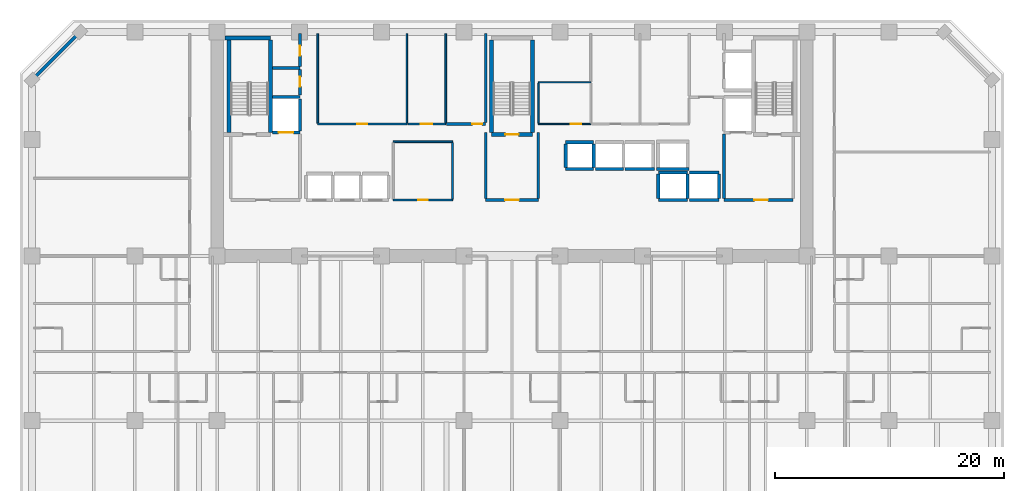
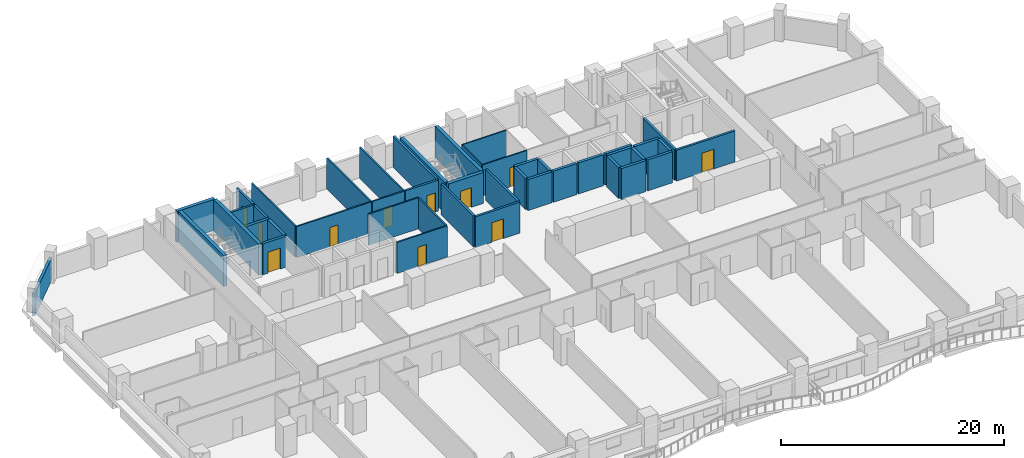
# One storey, part 6 of 14: 45 walls, 11 doors, 11 openings.
"""IFC4 building model written with IfcOpenShell, lengths in metres."""

from ifc_helpers import new_model, si_unit, direction, frame, frame_2d, origin, place, context, subcontext, project, spatial, rectangle, extrude, material, layer, layer_set, type_object, element, fill, save


model = new_model("IFC4")

# Units and contexts
model_context = context("Model", 3, precision=1e-05, world=origin(), true_north=direction((0.0, 1.0)))
body_context = subcontext(model_context, "Body", "Model", "MODEL_VIEW")
ifc_project = project(units=[si_unit("LENGTHUNIT", "METRE"), si_unit("AREAUNIT", "SQUARE_METRE"), si_unit("VOLUMEUNIT", "CUBIC_METRE"), si_unit("PLANEANGLEUNIT", "RADIAN"), si_unit("MASSUNIT", "GRAM", prefix="KILO")], contexts=[model_context])

# Site, building, storey
site_placement = place(None, origin())
site = spatial("IfcSite", under=ifc_project, at=site_placement, CompositionType="ELEMENT")
building_placement = place(site_placement, origin())
building = spatial("IfcBuilding", under=site, at=building_placement, Name="Kaelvorn Grand Hotel", CompositionType="ELEMENT")
storey_placement = place(building_placement, frame((0.0, 0.0, 76.39990234375)))
storey = spatial("IfcBuildingStorey", under=building, at=storey_placement, Name="L17", CompositionType="ELEMENT", Elevation=76.39990234375)

# Wall
ifc_material_1 = material(Name="Concrete C40/50", Category="concrete")
ifc_layer_1 = layer(ifc_material_1, 0.260009765625)
ifc_layer_set_1 = layer_set([ifc_layer_1], Name="Concrete C40/50")
wall_type_1 = type_object("IfcWallType", Name="WL-EXT-260-C40", PredefinedType="SOLIDWALL", material=ifc_layer_set_1)
wall_1_placement = place(storey_placement, frame((4.199951171875, 49.0, 0.0), z_axis=(0.0, 0.0, 1.0), x_axis=(-0.707106781187, -0.707106781187, 0.0)))
element("IfcWall", 1, at=wall_1_placement, inside=storey, type_object=wall_type_1, Name="L17 Exterior Architectural Concrete Wall 06", PredefinedType="SOLIDWALL", context=body_context, shape_type="SweptSolid", body=[
    extrude(rectangle(XDim=5.939697265625, YDim=0.260009765625, at=frame_2d((2.9697265625, 0.0))), origin(), (0.0, 0.0, 1.0), 2.4501953125),
])

# Wall, opening, door
ifc_material_2 = material(Name="Moisture-Resistant Tile & Stud Board")
ifc_layer_2 = layer(ifc_material_2, 0.125)
ifc_layer_set_2 = layer_set([ifc_layer_2], Name="Moisture-Resistant Tile & Stud Board")
wall_type_2 = type_object("IfcWallType", Name="WL-PART-125-WET", PredefinedType="PARTITIONING", material=ifc_layer_set_2)
wall_2_placement = place(storey_placement, frame((44.300048828125, 40.949951171875, 0.0), z_axis=(0.0, 0.0, 1.0), x_axis=(1.0, 0.0, 0.0)))
wall_2 = element("IfcWall", 2, at=wall_2_placement, inside=storey, type_object=wall_type_2, Name="L17 Accessible WC S Partition", PredefinedType="PARTITIONING", context=body_context, shape_type="SweptSolid", body=[
    extrude(rectangle(XDim=4.599853515625, YDim=0.125, at=frame_2d((2.2998046875, 0.0))), origin(), (0.0, 0.0, 1.0), 3.400146484375),
])
opening_1_placement = place(wall_2_placement, frame((2.85009765625, 0.0, 0.0)))
opening_1 = element("IfcOpeningElement", 3, at=opening_1_placement, cuts=wall_2, Name="Opening DI4", PredefinedType="OPENING", context=body_context, shape_type="SweptSolid", body=[
    extrude(rectangle(XDim=0.89990234375, YDim=2.10009765625, at=frame_2d((0.449951171875, 1.050048828125))), frame((0.0, 0.072509765625, 0.0), z_axis=(0.0, -1.0, 0.0), x_axis=(1.0, 0.0, 0.0)), (0.0, 0.0, 1.0), 0.14501953125),
])
ifc_material_3 = material(Name="Timber Veneer Leaf", Category="wood")
door_type_1 = type_object("IfcDoorType", Name="DR-INT-BATH-900x2100", OperationType="NOTDEFINED", PredefinedType="DOOR", material=ifc_material_3)
door_1_placement = place(opening_1_placement, origin())
door_1 = element("IfcDoor", 4, at=door_1_placement, inside=storey, type_object=door_type_1, Name="L17 Accessible WC Door", OperationType="SINGLE_SWING_RIGHT", OverallHeight=2.10009765625, OverallWidth=0.89990234375, PredefinedType="DOOR", context=body_context, shape_type="SweptSolid", body=[
    extrude(rectangle(XDim=0.89990234375, YDim=2.10009765625, at=frame_2d((0.449951171875, 1.050048828125))), frame((0.0, 0.02490234375, 0.0), z_axis=(0.0, -1.0, 0.0), x_axis=(1.0, 0.0, 0.0)), (0.0, 0.0, 1.0), 0.050048828125),
])
fill(opening_1, door_1)

# Walls
wall_3_placement = place(storey_placement, frame((44.300048828125, 44.60009765625, 0.0), z_axis=(0.0, 0.0, 1.0), x_axis=(1.0, 0.0, 0.0)))
element("IfcWall", 5, at=wall_3_placement, inside=storey, type_object=wall_type_2, Name="L17 Accessible WC N Partition", PredefinedType="PARTITIONING", context=body_context, shape_type="SweptSolid", body=[
    extrude(rectangle(XDim=4.599853515625, YDim=0.125, at=frame_2d((2.2998046875, 0.0))), origin(), (0.0, 0.0, 1.0), 3.400146484375),
])
wall_4_placement = place(storey_placement, frame((44.300048828125, 41.017578125, 0.0), z_axis=(0.0, 0.0, 1.0), x_axis=(0.0, 1.0, 0.0)))
element("IfcWall", 6, at=wall_4_placement, inside=storey, type_object=wall_type_2, Name="L17 Accessible WC W Partition", PredefinedType="PARTITIONING", context=body_context, shape_type="SweptSolid", body=[
    extrude(rectangle(XDim=3.514892578125, YDim=0.125, at=frame_2d((1.75732421875, 0.0))), origin(), (0.0, 0.0, 1.0), 3.400146484375),
])

# Wall, opening, door
ifc_material_4 = material(Name="Acoustic Gypsum & Stud Partition")
ifc_layer_3 = layer(ifc_material_4, 0.14990234375)
ifc_layer_set_3 = layer_set([ifc_layer_3], Name="Acoustic Gypsum & Stud Partition")
wall_type_3 = type_object("IfcWallType", Name="WL-PART-150-EI60", PredefinedType="PARTITIONING", material=ifc_layer_set_3)
wall_5_placement = place(storey_placement, frame((31.60009765625, 34.300048828125, 0.0), z_axis=(0.0, 0.0, 1.0), x_axis=(1.0, 0.0, 0.0)))
wall_5 = element("IfcWall", 7, at=wall_5_placement, inside=storey, type_object=wall_type_3, Name="L17 Core Telecoms & BMS Server Room S Partition", PredefinedType="PARTITIONING", context=body_context, shape_type="SweptSolid", body=[
    extrude(rectangle(XDim=5.199951171875, YDim=0.14990234375, at=frame_2d((2.60009765625, 0.0))), origin(), (0.0, 0.0, 1.0), 3.400146484375),
])
opening_2_placement = place(wall_5_placement, frame((2.175048828125, 0.0, 0.0)))
opening_2 = element("IfcOpeningElement", 8, at=opening_2_placement, cuts=wall_5, Name="Opening DI7", PredefinedType="OPENING", context=body_context, shape_type="SweptSolid", body=[
    extrude(rectangle(XDim=0.85009765625, YDim=2.10009765625, at=frame_2d((0.425048828125, 1.050048828125))), frame((0.0, 0.0849609375, 0.0), z_axis=(0.0, -1.0, 0.0), x_axis=(1.0, 0.0, 0.0)), (0.0, 0.0, 1.0), 0.169921875),
])
ifc_material_5 = material(Name="Powder-Coated Steel Leaf", Category="steel")
door_type_2 = type_object("IfcDoorType", Name="DR-INT-RISER-850x2100", OperationType="NOTDEFINED", PredefinedType="DOOR", material=ifc_material_5)
door_2_placement = place(opening_2_placement, origin())
door_2 = element("IfcDoor", 9, at=door_2_placement, inside=storey, type_object=door_type_2, Name="L17 Core Telecoms & BMS Server Room Door", OperationType="SINGLE_SWING_RIGHT", OverallHeight=2.10009765625, OverallWidth=0.85009765625, PredefinedType="DOOR", context=body_context, shape_type="SweptSolid", body=[
    extrude(rectangle(XDim=0.85009765625, YDim=2.10009765625, at=frame_2d((0.425048828125, 1.050048828125))), frame((0.0, 0.02490234375, 0.0), z_axis=(0.0, -1.0, 0.0), x_axis=(1.0, 0.0, 0.0)), (0.0, 0.0, 1.0), 0.050048828125),
])
fill(opening_2, door_2)

# Walls
wall_6_placement = place(storey_placement, frame((31.60009765625, 39.39990234375, 0.0), z_axis=(0.0, 0.0, 1.0), x_axis=(1.0, 0.0, 0.0)))
element("IfcWall", 10, at=wall_6_placement, inside=storey, type_object=wall_type_3, Name="L17 Core Telecoms & BMS Server Room N Partition", PredefinedType="PARTITIONING", context=body_context, shape_type="SweptSolid", body=[
    extrude(rectangle(XDim=5.199951171875, YDim=0.14990234375, at=frame_2d((2.60009765625, 0.0))), origin(), (0.0, 0.0, 1.0), 3.400146484375),
])
wall_7_placement = place(storey_placement, frame((36.800048828125, 34.3798828125, 0.0), z_axis=(0.0, 0.0, 1.0), x_axis=(0.0, 1.0, 0.0)))
element("IfcWall", 11, at=wall_7_placement, inside=storey, type_object=wall_type_3, Name="L17 Core Telecoms & BMS Server Room E Partition", PredefinedType="PARTITIONING", context=body_context, shape_type="SweptSolid", body=[
    extrude(rectangle(XDim=4.940185546875, YDim=0.14990234375, at=frame_2d((2.47021484375, 0.0))), origin(), (0.0, 0.0, 1.0), 3.400146484375),
])

# Wall, opening, door
wall_8_placement = place(storey_placement, frame((25.0, 40.949951171875, 0.0), z_axis=(0.0, 0.0, 1.0), x_axis=(1.0, 0.0, 0.0)))
wall_8 = element("IfcWall", 12, at=wall_8_placement, inside=storey, type_object=wall_type_3, Name="L17 Housekeeping & Linen Room S Partition", PredefinedType="PARTITIONING", context=body_context, shape_type="SweptSolid", body=[
    extrude(rectangle(XDim=7.800048828125, YDim=0.14990234375, at=frame_2d((3.89990234375, 0.0))), origin(), (0.0, 0.0, 1.0), 3.400146484375),
])
opening_3_placement = place(wall_8_placement, frame((3.47509765625, 0.0, 0.0)))
opening_3 = element("IfcOpeningElement", 13, at=opening_3_placement, cuts=wall_8, Name="Opening DI7", PredefinedType="OPENING", context=body_context, shape_type="SweptSolid", body=[
    extrude(rectangle(XDim=0.85009765625, YDim=2.10009765625, at=frame_2d((0.425048828125, 1.050048828125))), frame((0.0, 0.0849609375, 0.0), z_axis=(0.0, -1.0, 0.0), x_axis=(1.0, 0.0, 0.0)), (0.0, 0.0, 1.0), 0.169921875),
])
door_3_placement = place(opening_3_placement, origin())
door_3 = element("IfcDoor", 14, at=door_3_placement, inside=storey, type_object=door_type_2, Name="L17 Housekeeping & Linen Room Door", OperationType="SINGLE_SWING_LEFT", OverallHeight=2.10009765625, OverallWidth=0.85009765625, PredefinedType="DOOR", context=body_context, shape_type="SweptSolid", body=[
    extrude(rectangle(XDim=0.85009765625, YDim=2.10009765625, at=frame_2d((0.425048828125, 1.050048828125))), frame((0.0, 0.02490234375, 0.0), z_axis=(0.0, -1.0, 0.0), x_axis=(1.0, 0.0, 0.0)), (0.0, 0.0, 1.0), 0.050048828125),
])
fill(opening_3, door_3)

# Walls
for number, where, z_axis, x_axis, name in (
    (15, (25.0, 41.030029296875, 0.0), (0.0, 0.0, 1.0), (0.0, 1.0, 0.0), "L17 Housekeeping & Linen Room W Partition"),
    (16, (32.800048828125, 41.030029296875, 0.0), (0.0, 0.0, 1.0), (0.0, 1.0, 0.0), "L17 Housekeeping & Linen Room E Partition"),
):
    element("IfcWall", number, at=place(storey_placement, frame(where, z_axis=z_axis, x_axis=x_axis)), inside=storey, type_object=wall_type_3, Name=name, PredefinedType="PARTITIONING", context=body_context, shape_type="SweptSolid", body=[
        extrude(rectangle(XDim=7.820068359375, YDim=0.14990234375, at=frame_2d((3.91015625, 0.0))), origin(), (0.0, 0.0, 1.0), 3.400146484375),
    ])

# Wall, opening, door
wall_9_placement = place(storey_placement, frame((32.8798828125, 40.949951171875, 0.0), z_axis=(0.0, 0.0, 1.0), x_axis=(1.0, 0.0, 0.0)))
wall_9 = element("IfcWall", 17, at=wall_9_placement, inside=storey, type_object=wall_type_3, Name="L17 Floor Butler Tea Point S Partition", PredefinedType="PARTITIONING", context=body_context, shape_type="SweptSolid", body=[
    extrude(rectangle(XDim=3.320068359375, YDim=0.14990234375, at=frame_2d((1.66015625, 0.0))), origin(), (0.0, 0.0, 1.0), 3.400146484375),
])
opening_4_placement = place(wall_9_placement, frame((1.1201171875, 0.0, 0.0)))
opening_4 = element("IfcOpeningElement", 18, at=opening_4_placement, cuts=wall_9, Name="Opening DI3", PredefinedType="OPENING", context=body_context, shape_type="SweptSolid", body=[
    extrude(rectangle(XDim=1.0, YDim=2.14990234375, at=frame_2d((0.5, 1.074951171875))), frame((0.0, 0.0849609375, 0.0), z_axis=(0.0, -1.0, 0.0), x_axis=(1.0, 0.0, 0.0)), (0.0, 0.0, 1.0), 0.169921875),
])
ifc_material_6 = material(Name="Timber Veneer Fire Leaf", Category="wood")
door_type_3 = type_object("IfcDoorType", Name="DR-INT-GUEST-1000x2150", OperationType="NOTDEFINED", PredefinedType="DOOR", material=ifc_material_6)
door_4_placement = place(opening_4_placement, origin())
door_4 = element("IfcDoor", 19, at=door_4_placement, inside=storey, type_object=door_type_3, Name="L17 Floor Butler Tea Point Door", OperationType="SINGLE_SWING_RIGHT", OverallHeight=2.14990234375, OverallWidth=1.0, PredefinedType="DOOR", context=body_context, shape_type="SweptSolid", body=[
    extrude(rectangle(XDim=1.0, YDim=2.14990234375, at=frame_2d((0.5, 1.074951171875))), frame((0.0, 0.02490234375, 0.0), z_axis=(0.0, -1.0, 0.0), x_axis=(1.0, 0.0, 0.0)), (0.0, 0.0, 1.0), 0.050048828125),
])
fill(opening_4, door_4)

# Wall
wall_10_placement = place(storey_placement, frame((36.199951171875, 41.030029296875, 0.0), z_axis=(0.0, 0.0, 1.0), x_axis=(0.0, 1.0, 0.0)))
element("IfcWall", 20, at=wall_10_placement, inside=storey, type_object=wall_type_3, Name="L17 Floor Butler Tea Point E Partition", PredefinedType="PARTITIONING", context=body_context, shape_type="SweptSolid", body=[
    extrude(rectangle(XDim=7.820068359375, YDim=0.14990234375, at=frame_2d((3.91015625, 0.0))), origin(), (0.0, 0.0, 1.0), 3.400146484375),
])

# Wall, opening, door
ifc_layer_4 = layer(ifc_material_1, 0.219970703125)
ifc_layer_set_4 = layer_set([ifc_layer_4], Name="Concrete C40/50")
wall_type_4 = type_object("IfcWallType", Name="WL-PART-220-EI120", PredefinedType="PARTITIONING", material=ifc_layer_set_4)
wall_11_placement = place(storey_placement, frame((60.550048828125, 34.300048828125, 0.0), z_axis=(0.0, 0.0, 1.0), x_axis=(1.0, 0.0, 0.0)))
wall_11 = element("IfcWall", 21, at=wall_11_placement, inside=storey, type_object=wall_type_4, Name="L17 Firefighting Lift Lobby 2 S Partition", PredefinedType="PARTITIONING", context=body_context, shape_type="SweptSolid", body=[
    extrude(rectangle(XDim=6.050048828125, YDim=0.219970703125, at=frame_2d((3.02490234375, 0.0))), origin(), (0.0, 0.0, 1.0), 3.400146484375),
])
opening_5_placement = place(wall_11_placement, frame((2.64990234375, 0.0, 0.0)))
opening_5 = element("IfcOpeningElement", 22, at=opening_5_placement, cuts=wall_11, Name="Opening DI2", PredefinedType="OPENING", context=body_context, shape_type="SweptSolid", body=[
    extrude(rectangle(XDim=1.199951171875, YDim=2.14990234375, at=frame_2d((0.60009765625, 1.074951171875))), frame((0.0, 0.1201171875, 0.0), z_axis=(0.0, -1.0, 0.0), x_axis=(1.0, 0.0, 0.0)), (0.0, 0.0, 1.0), 0.239990234375),
])
door_type_4 = type_object("IfcDoorType", Name="DR-INT-FFLOB-1200x2150", OperationType="NOTDEFINED", PredefinedType="DOOR", material=ifc_material_6)
door_5_placement = place(opening_5_placement, origin())
door_5 = element("IfcDoor", 23, at=door_5_placement, inside=storey, type_object=door_type_4, Name="L17 Firefighting Lift Lobby 2 Door", OperationType="SINGLE_SWING_LEFT", OverallHeight=2.14990234375, OverallWidth=1.199951171875, PredefinedType="DOOR", context=body_context, shape_type="SweptSolid", body=[
    extrude(rectangle(XDim=1.199951171875, YDim=2.14990234375, at=frame_2d((0.60009765625, 1.074951171875))), frame((0.0, 0.02490234375, 0.0), z_axis=(0.0, -1.0, 0.0), x_axis=(1.0, 0.0, 0.0)), (0.0, 0.0, 1.0), 0.050048828125),
])
fill(opening_5, door_5)

# Wall
wall_12_placement = place(storey_placement, frame((60.550048828125, 34.4150390625, 0.0), z_axis=(0.0, 0.0, 1.0), x_axis=(0.0, 1.0, 0.0)))
element("IfcWall", 24, at=wall_12_placement, inside=storey, type_object=wall_type_4, Name="L17 Firefighting Lift Lobby 2 W Partition", PredefinedType="PARTITIONING", context=body_context, shape_type="SweptSolid", body=[
    extrude(rectangle(XDim=5.639892578125, YDim=0.219970703125, at=frame_2d((2.81982421875, 0.0))), origin(), (0.0, 0.0, 1.0), 3.400146484375),
])

# Wall, opening, door
wall_13_placement = place(storey_placement, frame((39.699951171875, 34.300048828125, 0.0), z_axis=(0.0, 0.0, 1.0), x_axis=(1.0, 0.0, 0.0)))
wall_13 = element("IfcWall", 25, at=wall_13_placement, inside=storey, type_object=wall_type_4, Name="L17 Central Stair Escape Vestibule S Partition", PredefinedType="PARTITIONING", context=body_context, shape_type="SweptSolid", body=[
    extrude(rectangle(XDim=4.60009765625, YDim=0.219970703125, at=frame_2d((2.300048828125, 0.0))), origin(), (0.0, 0.0, 1.0), 3.400146484375),
])
opening_6_placement = place(wall_13_placement, frame((1.699951171875, 0.0, 0.0)))
opening_6 = element("IfcOpeningElement", 26, at=opening_6_placement, cuts=wall_13, Name="Opening DI2", PredefinedType="OPENING", context=body_context, shape_type="SweptSolid", body=[
    extrude(rectangle(XDim=1.199951171875, YDim=2.14990234375, at=frame_2d((0.60009765625, 1.074951171875))), frame((0.0, 0.1201171875, 0.0), z_axis=(0.0, -1.0, 0.0), x_axis=(1.0, 0.0, 0.0)), (0.0, 0.0, 1.0), 0.239990234375),
])
door_6_placement = place(opening_6_placement, origin())
door_6 = element("IfcDoor", 27, at=door_6_placement, inside=storey, type_object=door_type_4, Name="L17 Central Stair Escape Vestibule Door", OperationType="SINGLE_SWING_RIGHT", OverallHeight=2.14990234375, OverallWidth=1.199951171875, PredefinedType="DOOR", context=body_context, shape_type="SweptSolid", body=[
    extrude(rectangle(XDim=1.199951171875, YDim=2.14990234375, at=frame_2d((0.60009765625, 1.074951171875))), frame((0.0, 0.02490234375, 0.0), z_axis=(0.0, -1.0, 0.0), x_axis=(1.0, 0.0, 0.0)), (0.0, 0.0, 1.0), 0.050048828125),
])
fill(opening_6, door_6)

# Walls
for number, where, z_axis, x_axis, name in (
    (28, (39.699951171875, 34.4150390625, 0.0), (0.0, 0.0, 1.0), (0.0, 1.0, 0.0), "L17 Central Stair Escape Vestibule W Partition"),
    (29, (44.300048828125, 34.4150390625, 0.0), (0.0, 0.0, 1.0), (0.0, 1.0, 0.0), "L17 Central Stair Escape Vestibule E Partition"),
):
    element("IfcWall", number, at=place(storey_placement, frame(where, z_axis=z_axis, x_axis=x_axis)), inside=storey, type_object=wall_type_4, Name=name, PredefinedType="PARTITIONING", context=body_context, shape_type="SweptSolid", body=[
        extrude(rectangle(XDim=5.784912109375, YDim=0.219970703125, at=frame_2d((2.892578125, 0.0))), origin(), (0.0, 0.0, 1.0), 3.400146484375),
    ])
wall_14_placement = place(storey_placement, frame((21.034912109375, 45.85009765625, 0.0), z_axis=(0.0, 0.0, 1.0), x_axis=(1.0, 0.0, 0.0)))
element("IfcWall", 30, at=wall_14_placement, inside=storey, type_object=wall_type_4, Name="L17 Wet Fire & Plumbing Riser Shaft N Partition", PredefinedType="PARTITIONING", context=body_context, shape_type="SweptSolid", body=[
    extrude(rectangle(XDim=2.4150390625, YDim=0.219970703125, at=frame_2d((1.20751953125, 0.0))), origin(), (0.0, 0.0, 1.0), 3.400146484375),
])

# Wall, opening, door
wall_15_placement = place(storey_placement, frame((23.449951171875, 43.5, 0.0), z_axis=(0.0, 0.0, 1.0), x_axis=(0.0, 1.0, 0.0)))
wall_15 = element("IfcWall", 31, at=wall_15_placement, inside=storey, type_object=wall_type_4, Name="L17 Wet Fire & Plumbing Riser Shaft E Partition", PredefinedType="PARTITIONING", context=body_context, shape_type="SweptSolid", body=[
    extrude(rectangle(XDim=2.235107421875, YDim=0.219970703125, at=frame_2d((1.11767578125, 0.0))), origin(), (0.0, 0.0, 1.0), 3.400146484375),
])
opening_7_placement = place(wall_15_placement, frame((0.72509765625, 0.0, 0.0)))
opening_7 = element("IfcOpeningElement", 32, at=opening_7_placement, cuts=wall_15, Name="Opening DI7", PredefinedType="OPENING", context=body_context, shape_type="SweptSolid", body=[
    extrude(rectangle(XDim=0.85009765625, YDim=2.10009765625, at=frame_2d((0.425048828125, 1.050048828125))), frame((0.0, 0.1201171875, 0.0), z_axis=(0.0, -1.0, 0.0), x_axis=(1.0, 0.0, 0.0)), (0.0, 0.0, 1.0), 0.239990234375),
])
door_7_placement = place(opening_7_placement, origin())
door_7 = element("IfcDoor", 33, at=door_7_placement, inside=storey, type_object=door_type_2, Name="L17 Wet Fire & Plumbing Riser Shaft Door", OperationType="SINGLE_SWING_RIGHT", OverallHeight=2.10009765625, OverallWidth=0.85009765625, PredefinedType="DOOR", context=body_context, shape_type="SweptSolid", body=[
    extrude(rectangle(XDim=0.85009765625, YDim=2.10009765625, at=frame_2d((0.425048828125, 1.050048828125))), frame((0.0, 0.02490234375, 0.0), z_axis=(0.0, -1.0, 0.0), x_axis=(1.0, 0.0, 0.0)), (0.0, 0.0, 1.0), 0.050048828125),
])
fill(opening_7, door_7)

wall_16_placement = place(storey_placement, frame((23.449951171875, 45.965087890625, 0.0), z_axis=(0.0, 0.0, 1.0), x_axis=(0.0, 1.0, 0.0)))
wall_16 = element("IfcWall", 34, at=wall_16_placement, inside=storey, type_object=wall_type_4, Name="L17 HV Electrical & Smoke Riser E Partition", PredefinedType="PARTITIONING", context=body_context, shape_type="SweptSolid", body=[
    extrude(rectangle(XDim=2.885009765625, YDim=0.219970703125, at=frame_2d((1.4423828125, 0.0))), origin(), (0.0, 0.0, 1.0), 3.400146484375),
])
opening_8_placement = place(wall_16_placement, frame((0.9599609375, 0.0, 0.0)))
opening_8 = element("IfcOpeningElement", 35, at=opening_8_placement, cuts=wall_16, Name="Opening DI7", PredefinedType="OPENING", context=body_context, shape_type="SweptSolid", body=[
    extrude(rectangle(XDim=0.85009765625, YDim=2.10009765625, at=frame_2d((0.425048828125, 1.050048828125))), frame((0.0, 0.1201171875, 0.0), z_axis=(0.0, -1.0, 0.0), x_axis=(1.0, 0.0, 0.0)), (0.0, 0.0, 1.0), 0.239990234375),
])
door_8_placement = place(opening_8_placement, origin())
door_8 = element("IfcDoor", 36, at=door_8_placement, inside=storey, type_object=door_type_2, Name="L17 HV Electrical & Smoke Riser Door", OperationType="SINGLE_SWING_LEFT", OverallHeight=2.10009765625, OverallWidth=0.85009765625, PredefinedType="DOOR", context=body_context, shape_type="SweptSolid", body=[
    extrude(rectangle(XDim=0.85009765625, YDim=2.10009765625, at=frame_2d((0.425048828125, 1.050048828125))), frame((0.0, 0.02490234375, 0.0), z_axis=(0.0, -1.0, 0.0), x_axis=(1.0, 0.0, 0.0)), (0.0, 0.0, 1.0), 0.050048828125),
])
fill(opening_8, door_8)

wall_17_placement = place(storey_placement, frame((36.280029296875, 40.949951171875, 0.0), z_axis=(0.0, 0.0, 1.0), x_axis=(1.0, 0.0, 0.0)))
wall_17 = element("IfcWall", 37, at=wall_17_placement, inside=storey, type_object=wall_type_4, Name="L17 LV Electrical & Metering Room S Partition", PredefinedType="PARTITIONING", context=body_context, shape_type="SweptSolid", body=[
    extrude(rectangle(XDim=3.419921875, YDim=0.219970703125, at=frame_2d((1.7099609375, 0.0))), origin(), (0.0, 0.0, 1.0), 3.400146484375),
])
opening_9_placement = place(wall_17_placement, frame((2.2451171875, 0.0, 0.0)))
opening_9 = element("IfcOpeningElement", 38, at=opening_9_placement, cuts=wall_17, Name="Opening DI7", PredefinedType="OPENING", context=body_context, shape_type="SweptSolid", body=[
    extrude(rectangle(XDim=0.85009765625, YDim=2.10009765625, at=frame_2d((0.425048828125, 1.050048828125))), frame((0.0, 0.1201171875, 0.0), z_axis=(0.0, -1.0, 0.0), x_axis=(1.0, 0.0, 0.0)), (0.0, 0.0, 1.0), 0.239990234375),
])
door_9_placement = place(opening_9_placement, origin())
door_9 = element("IfcDoor", 39, at=door_9_placement, inside=storey, type_object=door_type_2, Name="L17 LV Electrical & Metering Room Door", OperationType="SINGLE_SWING_LEFT", OverallHeight=2.10009765625, OverallWidth=0.85009765625, PredefinedType="DOOR", context=body_context, shape_type="SweptSolid", body=[
    extrude(rectangle(XDim=0.85009765625, YDim=2.10009765625, at=frame_2d((0.425048828125, 1.050048828125))), frame((0.0, 0.02490234375, 0.0), z_axis=(0.0, -1.0, 0.0), x_axis=(1.0, 0.0, 0.0)), (0.0, 0.0, 1.0), 0.050048828125),
])
fill(opening_9, door_9)

# Walls
wall_18_placement = place(storey_placement, frame((39.699951171875, 41.06494140625, 0.0), z_axis=(0.0, 0.0, 1.0), x_axis=(0.0, 1.0, 0.0)))
element("IfcWall", 40, at=wall_18_placement, inside=storey, type_object=wall_type_4, Name="L17 LV Electrical & Metering Room E Partition", PredefinedType="PARTITIONING", context=body_context, shape_type="SweptSolid", body=[
    extrude(rectangle(XDim=7.78515625, YDim=0.219970703125, at=frame_2d((3.892578125, 0.0))), origin(), (0.0, 0.0, 1.0), 3.400146484375),
])
ifc_material_7 = material(Name="Concrete C50/60", Category="concrete")
ifc_layer_5 = layer(ifc_material_7, 0.280029296875)
ifc_layer_set_5 = layer_set([ifc_layer_5], Name="Concrete C50/60")
wall_type_5 = type_object("IfcWallType", Name="WL-SHAFT-280-C50", PredefinedType="SHEAR", material=ifc_layer_set_5)
for number, where, z_axis, x_axis, name in (
    (41, (46.699951171875, 37.0, 0.0), (0.0, 0.0, 1.0), (1.0, 0.0, 0.0), "L17 Lift SL-1 Shaft South Wall"),
    (42, (46.699951171875, 39.35009765625, 0.0), (0.0, 0.0, 1.0), (1.0, 0.0, 0.0), "L17 Lift SL-1 Shaft North Wall"),
):
    element("IfcWall", number, at=place(storey_placement, frame(where, z_axis=z_axis, x_axis=x_axis)), inside=storey, type_object=wall_type_5, Name=name, PredefinedType="SHEAR", context=body_context, shape_type="SweptSolid", body=[
        extrude(rectangle(XDim=2.449951171875, YDim=0.280029296875, at=frame_2d((1.22509765625, 0.0))), origin(), (0.0, 0.0, 1.0), 3.400146484375),
    ])
for number, where, z_axis, x_axis, name in (
    (43, (46.699951171875, 37.14501953125, 0.0), (0.0, 0.0, 1.0), (0.0, 1.0, 0.0), "L17 Lift SL-1 Shaft West Wall"),
    (44, (49.14990234375, 37.14501953125, 0.0), (0.0, 0.0, 1.0), (0.0, 1.0, 0.0), "L17 Lift SL-1 Shaft East Wall"),
):
    element("IfcWall", number, at=place(storey_placement, frame(where, z_axis=z_axis, x_axis=x_axis)), inside=storey, type_object=wall_type_5, Name=name, PredefinedType="SHEAR", context=body_context, shape_type="SweptSolid", body=[
        extrude(rectangle(XDim=2.06005859375, YDim=0.280029296875, at=frame_2d((1.030029296875, 0.0))), origin(), (0.0, 0.0, 1.0), 3.400146484375),
    ])
wall_19_placement = place(storey_placement, frame((49.300048828125, 37.0, 0.0), z_axis=(0.0, 0.0, 1.0), x_axis=(1.0, 0.0, 0.0)))
element("IfcWall", 45, at=wall_19_placement, inside=storey, type_object=wall_type_5, Name="L17 Lift SL-2 Shaft South Wall", PredefinedType="SHEAR", context=body_context, shape_type="SweptSolid", body=[
    extrude(rectangle(XDim=2.449951171875, YDim=0.280029296875, at=frame_2d((1.22509765625, 0.0))), origin(), (0.0, 0.0, 1.0), 3.400146484375),
])
wall_20_placement = place(storey_placement, frame((51.89990234375, 37.0, 0.0), z_axis=(0.0, 0.0, 1.0), x_axis=(1.0, 0.0, 0.0)))
element("IfcWall", 46, at=wall_20_placement, inside=storey, type_object=wall_type_5, Name="L17 Lift SL-3 Shaft South Wall", PredefinedType="SHEAR", context=body_context, shape_type="SweptSolid", body=[
    extrude(rectangle(XDim=2.590087890625, YDim=0.280029296875, at=frame_2d((1.294921875, 0.0))), origin(), (0.0, 0.0, 1.0), 3.400146484375),
])
for number, where, z_axis, x_axis, name in (
    (47, (54.800048828125, 34.300048828125, 0.0), (0.0, 0.0, 1.0), (1.0, 0.0, 0.0), "L17 Lift OL-1 Shaft South Wall"),
    (48, (54.800048828125, 36.699951171875, 0.0), (0.0, 0.0, 1.0), (1.0, 0.0, 0.0), "L17 Lift OL-1 Shaft North Wall"),
):
    element("IfcWall", number, at=place(storey_placement, frame(where, z_axis=z_axis, x_axis=x_axis)), inside=storey, type_object=wall_type_5, Name=name, PredefinedType="SHEAR", context=body_context, shape_type="SweptSolid", body=[
        extrude(rectangle(XDim=2.550048828125, YDim=0.280029296875, at=frame_2d((1.27490234375, 0.0))), origin(), (0.0, 0.0, 1.0), 3.400146484375),
    ])
for number, where, z_axis, x_axis, name in (
    (49, (54.800048828125, 34.445068359375, 0.0), (0.0, 0.0, 1.0), (0.0, 1.0, 0.0), "L17 Lift OL-1 Shaft West Wall"),
    (50, (57.35009765625, 34.445068359375, 0.0), (0.0, 0.0, 1.0), (0.0, 1.0, 0.0), "L17 Lift OL-1 Shaft East Wall"),
):
    element("IfcWall", number, at=place(storey_placement, frame(where, z_axis=z_axis, x_axis=x_axis)), inside=storey, type_object=wall_type_5, Name=name, PredefinedType="SHEAR", context=body_context, shape_type="SweptSolid", body=[
        extrude(rectangle(XDim=2.10986328125, YDim=0.280029296875, at=frame_2d((1.054931640625, 0.0))), origin(), (0.0, 0.0, 1.0), 3.400146484375),
    ])
for number, where, z_axis, x_axis, name in (
    (51, (57.550048828125, 34.300048828125, 0.0), (0.0, 0.0, 1.0), (1.0, 0.0, 0.0), "L17 Lift OL-2 Shaft South Wall"),
    (52, (57.550048828125, 36.699951171875, 0.0), (0.0, 0.0, 1.0), (1.0, 0.0, 0.0), "L17 Lift OL-2 Shaft North Wall"),
):
    element("IfcWall", number, at=place(storey_placement, frame(where, z_axis=z_axis, x_axis=x_axis)), inside=storey, type_object=wall_type_5, Name=name, PredefinedType="SHEAR", context=body_context, shape_type="SweptSolid", body=[
        extrude(rectangle(XDim=2.550048828125, YDim=0.280029296875, at=frame_2d((1.27490234375, 0.0))), origin(), (0.0, 0.0, 1.0), 3.400146484375),
    ])
wall_21_placement = place(storey_placement, frame((60.10009765625, 34.445068359375, 0.0), z_axis=(0.0, 0.0, 1.0), x_axis=(0.0, 1.0, 0.0)))
element("IfcWall", 53, at=wall_21_placement, inside=storey, type_object=wall_type_5, Name="L17 Lift OL-2 Shaft East Wall", PredefinedType="SHEAR", context=body_context, shape_type="SweptSolid", body=[
    extrude(rectangle(XDim=2.10986328125, YDim=0.280029296875, at=frame_2d((1.054931640625, 0.0))), origin(), (0.0, 0.0, 1.0), 3.400146484375),
])
wall_22_placement = place(storey_placement, frame((54.659912109375, 37.0, 0.0), z_axis=(0.0, 0.0, 1.0), x_axis=(1.0, 0.0, 0.0)))
element("IfcWall", 54, at=wall_22_placement, inside=storey, type_object=wall_type_5, Name="L17 Lift OL-3 Shaft South Wall", PredefinedType="SHEAR", context=body_context, shape_type="SweptSolid", body=[
    extrude(rectangle(XDim=2.830078125, YDim=0.280029296875, at=frame_2d((1.4150390625, 0.0))), origin(), (0.0, 0.0, 1.0), 3.400146484375),
])

# Wall, opening, door
wall_23_placement = place(storey_placement, frame((21.034912109375, 40.199951171875, 0.0), z_axis=(0.0, 0.0, 1.0), x_axis=(1.0, 0.0, 0.0)))
wall_23 = element("IfcWall", 55, at=wall_23_placement, inside=storey, type_object=wall_type_5, Name="L17 Lift FFL1 Shaft South Wall", PredefinedType="SHEAR", context=body_context, shape_type="SweptSolid", body=[
    extrude(rectangle(XDim=2.4150390625, YDim=0.280029296875, at=frame_2d((1.20751953125, 0.0))), origin(), (0.0, 0.0, 1.0), 3.400146484375),
])
opening_10_placement = place(wall_23_placement, frame((0.5400390625, 0.0, 0.0)))
opening_10 = element("IfcOpeningElement", 56, at=opening_10_placement, cuts=wall_23, Name="Opening LD-FFL1", PredefinedType="OPENING", context=body_context, shape_type="SweptSolid", body=[
    extrude(rectangle(XDim=1.300048828125, YDim=2.300048828125, at=frame_2d((0.64990234375, 1.14990234375))), frame((0.0, 0.14990234375, 0.0), z_axis=(0.0, -1.0, 0.0), x_axis=(1.0, 0.0, 0.0)), (0.0, 0.0, 1.0), 0.300048828125),
])
ifc_material_8 = material(Name="Stainless Steel", Category="steel")
door_type_5 = type_object("IfcDoorType", Name="DR-LIFT-SERV-1300x2300", OperationType="DOUBLE_DOOR_SLIDING", PredefinedType="DOOR", material=ifc_material_8)
door_10_placement = place(opening_10_placement, origin())
door_10 = element("IfcDoor", 57, at=door_10_placement, inside=storey, type_object=door_type_5, Name="L17 Lift FFL1 Sliding Landing Door LD-FFL1", OperationType="DOUBLE_DOOR_SLIDING", OverallHeight=2.300048828125, OverallWidth=1.300048828125, PredefinedType="DOOR", context=body_context, shape_type="SweptSolid", body=[
    extrude(rectangle(XDim=1.300048828125, YDim=2.300048828125, at=frame_2d((0.64990234375, 1.14990234375))), frame((0.0, 0.02490234375, 0.0), z_axis=(0.0, -1.0, 0.0), x_axis=(1.0, 0.0, 0.0)), (0.0, 0.0, 1.0), 0.050048828125),
])
fill(opening_10, door_10)

# Walls
wall_24_placement = place(storey_placement, frame((21.034912109375, 43.300048828125, 0.0), z_axis=(0.0, 0.0, 1.0), x_axis=(1.0, 0.0, 0.0)))
element("IfcWall", 58, at=wall_24_placement, inside=storey, type_object=wall_type_5, Name="L17 Lift FFL1 Shaft North Wall", PredefinedType="SHEAR", context=body_context, shape_type="SweptSolid", body=[
    extrude(rectangle(XDim=2.4150390625, YDim=0.280029296875, at=frame_2d((1.20751953125, 0.0))), origin(), (0.0, 0.0, 1.0), 3.400146484375),
])
wall_25_placement = place(storey_placement, frame((23.449951171875, 40.344970703125, 0.0), z_axis=(0.0, 0.0, 1.0), x_axis=(0.0, 1.0, 0.0)))
element("IfcWall", 59, at=wall_25_placement, inside=storey, type_object=wall_type_5, Name="L17 Lift FFL1 Shaft East Wall", PredefinedType="SHEAR", context=body_context, shape_type="SweptSolid", body=[
    extrude(rectangle(XDim=2.81005859375, YDim=0.280029296875, at=frame_2d((1.405029296875, 0.0))), origin(), (0.0, 0.0, 1.0), 3.400146484375),
])
ifc_material_9 = material(Name="Concrete C60/75", Category="concrete")
ifc_layer_6 = layer(ifc_material_9, 0.35009765625)
ifc_layer_set_6 = layer_set([ifc_layer_6], Name="Concrete C60/75")
wall_type_6 = type_object("IfcWallType", Name="WL-SHAFT-350-C60", PredefinedType="SHEAR", material=ifc_layer_set_6)
wall_26_placement = place(storey_placement, frame((16.905029296875, 48.47509765625, 0.0), z_axis=(0.0, 0.0, 1.0), x_axis=(1.0, 0.0, 0.0)))
element("IfcWall", 60, at=wall_26_placement, inside=storey, type_object=wall_type_6, Name="L17 ST1 Stair Shaft North Wall", PredefinedType="SHEAR", context=body_context, shape_type="SweptSolid", body=[
    extrude(rectangle(XDim=3.949951171875, YDim=0.35009765625, at=frame_2d((1.97509765625, 0.0))), origin(), (0.0, 0.0, 1.0), 3.400146484375),
])
for number, where, z_axis, x_axis, name in (
    (61, (17.22509765625, 40.205078125, 0.0), (0.0, 0.0, 1.0), (0.0, 1.0, 0.0), "L17 ST1 Stair Shaft West Wall"),
    (62, (20.85498046875, 40.205078125, 0.0), (0.0, 0.0, 1.0), (0.0, 1.0, 0.0), "L17 ST1 Stair Shaft East Wall"),
):
    element("IfcWall", number, at=place(storey_placement, frame(where, z_axis=z_axis, x_axis=x_axis)), inside=storey, type_object=wall_type_6, Name=name, PredefinedType="SHEAR", context=body_context, shape_type="SweptSolid", body=[
        extrude(rectangle(XDim=8.08984375, YDim=0.35009765625, at=frame_2d((4.044921875, 0.0))), origin(), (0.0, 0.0, 1.0), 3.400146484375),
    ])

# Wall, opening, door
wall_27_placement = place(storey_placement, frame((40.18505859375, 40.02490234375, 0.0), z_axis=(0.0, 0.0, 1.0), x_axis=(1.0, 0.0, 0.0)))
wall_27 = element("IfcWall", 63, at=wall_27_placement, inside=storey, type_object=wall_type_6, Name="L17 ST2 Stair Shaft South Wall", PredefinedType="SHEAR", context=body_context, shape_type="SweptSolid", body=[
    extrude(rectangle(XDim=3.6298828125, YDim=0.35009765625, at=frame_2d((1.81494140625, 0.0))), origin(), (0.0, 0.0, 1.0), 3.400146484375),
])
opening_11_placement = place(wall_27_placement, frame((1.239990234375, 0.0, 0.0)))
opening_11 = element("IfcOpeningElement", 64, at=opening_11_placement, cuts=wall_27, Name="Opening DI1", PredefinedType="OPENING", context=body_context, shape_type="SweptSolid", body=[
    extrude(rectangle(XDim=1.14990234375, YDim=2.14990234375, at=frame_2d((0.574951171875, 1.074951171875))), frame((0.0, 0.18505859375, 0.0), z_axis=(0.0, -1.0, 0.0), x_axis=(1.0, 0.0, 0.0)), (0.0, 0.0, 1.0), 0.3701171875),
])
door_type_6 = type_object("IfcDoorType", Name="DR-INT-STAIR-1150x2150", OperationType="NOTDEFINED", PredefinedType="DOOR", material=ifc_material_6)
door_11_placement = place(opening_11_placement, origin())
door_11 = element("IfcDoor", 65, at=door_11_placement, inside=storey, type_object=door_type_6, Name="L17 ST2 Exit Stair Fire Door", OperationType="SINGLE_SWING_RIGHT", OverallHeight=2.14990234375, OverallWidth=1.14990234375, PredefinedType="DOOR", context=body_context, shape_type="SweptSolid", body=[
    extrude(rectangle(XDim=1.14990234375, YDim=2.14990234375, at=frame_2d((0.574951171875, 1.074951171875))), frame((0.0, 0.02490234375, 0.0), z_axis=(0.0, -1.0, 0.0), x_axis=(1.0, 0.0, 0.0)), (0.0, 0.0, 1.0), 0.050048828125),
])
fill(opening_11, door_11)

# Walls
for number, where, z_axis, x_axis, name in (
    (66, (40.18505859375, 40.205078125, 0.0), (0.0, 0.0, 1.0), (0.0, 1.0, 0.0), "L17 ST2 Stair Shaft West Wall"),
    (67, (43.81494140625, 40.205078125, 0.0), (0.0, 0.0, 1.0), (0.0, 1.0, 0.0), "L17 ST2 Stair Shaft East Wall"),
):
    element("IfcWall", number, at=place(storey_placement, frame(where, z_axis=z_axis, x_axis=x_axis)), inside=storey, type_object=wall_type_6, Name=name, PredefinedType="SHEAR", context=body_context, shape_type="SweptSolid", body=[
        extrude(rectangle(XDim=8.08984375, YDim=0.35009765625, at=frame_2d((4.044921875, 0.0))), origin(), (0.0, 0.0, 1.0), 3.400146484375),
    ])

save(model, "model.ifc")
